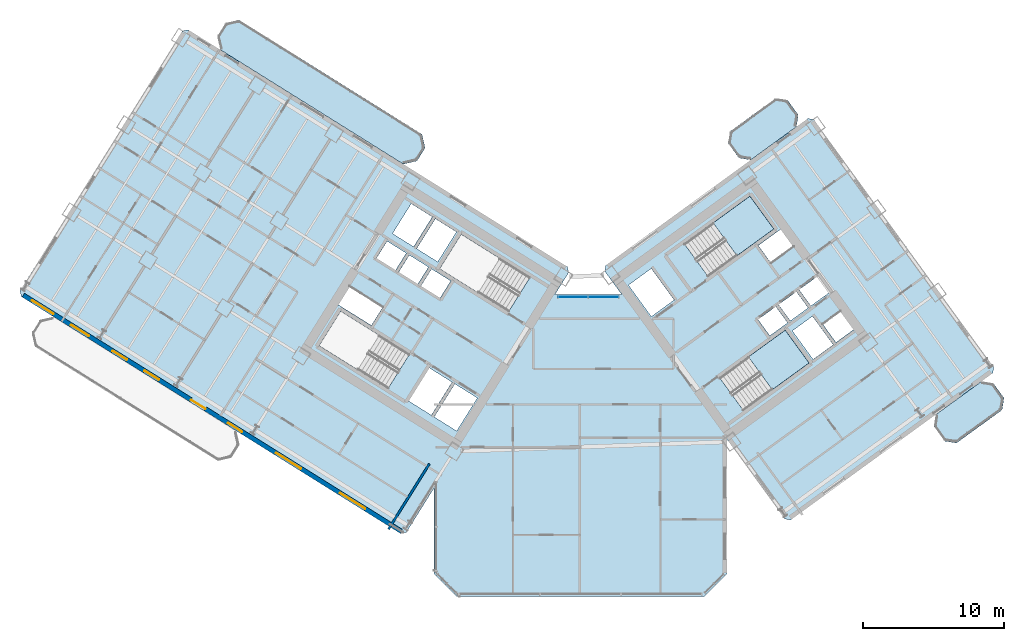
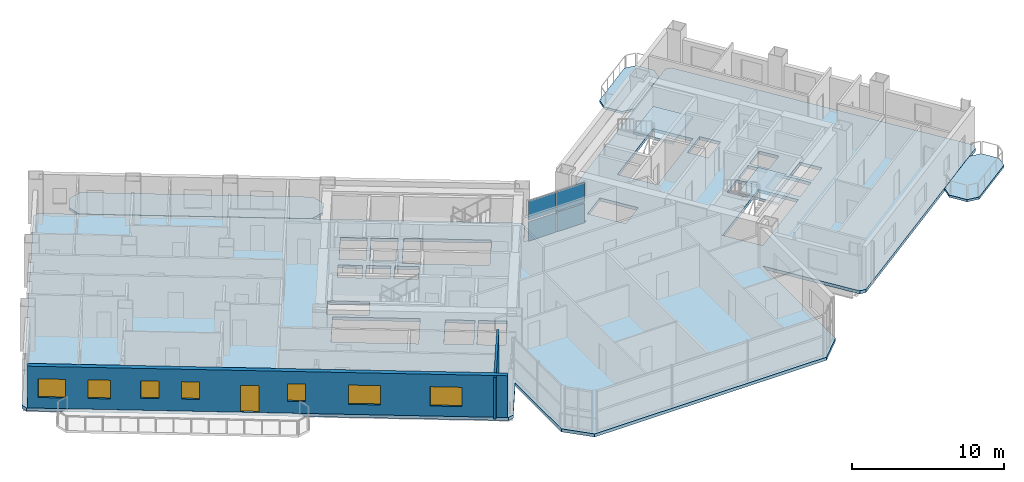
# One storey, part 14 of 24: 7 windows, 6 slabs, 4 plates, 2 walls, 1 door, 8 openings, 3 elements without a shape of their own.
"""IFC4 building model written with IfcOpenShell, lengths in metres."""

from ifc_helpers import new_model, si_unit, direction, frame, frame_2d, origin, origin_2d, place, context, subcontext, project, spatial, polyline, rectangle, outline, extrude, source, transform, mapped, material, layer, layer_set, type_object, element, fill, aggregate, save


model = new_model("IFC4")

# Units and contexts
model_context = context("Model", 3, precision=1e-05, world=origin(), true_north=direction((0.0, 1.0)))
body_context = subcontext(model_context, "Body", "Model", "MODEL_VIEW")
ifc_project = project(units=[si_unit("LENGTHUNIT", "METRE"), si_unit("AREAUNIT", "SQUARE_METRE"), si_unit("VOLUMEUNIT", "CUBIC_METRE"), si_unit("PLANEANGLEUNIT", "RADIAN"), si_unit("MASSUNIT", "GRAM", prefix="KILO")], contexts=[model_context])

# Site, building, storey
site_placement = place(None, origin())
site = spatial("IfcSite", under=ifc_project, at=site_placement, CompositionType="ELEMENT")
building_placement = place(site_placement, origin())
building = spatial("IfcBuilding", under=site, at=building_placement, Name="Tlacorven Tower", CompositionType="ELEMENT")
storey_placement = place(building_placement, frame((0.0, 0.0, 45.60009765625)))
storey = spatial("IfcBuildingStorey", under=building, at=storey_placement, Name="L11", CompositionType="ELEMENT", Elevation=45.60009765625)

# Slabs
ifc_material_1 = material(Name="Precast concrete C45/55", Category="concrete")
ifc_layer_1 = layer(ifc_material_1, 0.179931640625)
ifc_layer_set_1 = layer_set([ifc_layer_1], Name="Precast concrete C45/55")
slab_type_1 = type_object("IfcSlabType", Name="SL-BAL-180", PredefinedType="USERDEFINED", material=ifc_layer_set_1)
slab_1_placement = place(storey_placement, frame((0.0, 0.0, -0.18017578125)))
element("IfcSlab", 1, at=slab_1_placement, inside=storey, type_object=slab_type_1, Name="L11 West Wing Balcony Ribbon IN", ObjectType="BALCONY SLAB", PredefinedType="USERDEFINED", context=body_context, shape_type="SweptSolid", body=[
    extrude(outline(polyline([(30.756591796875, 34.57763671875), (17.781494140625, 42.685546875), (16.81689453125, 42.462890625), (16.236572265625, 41.5341796875), (16.459228515625, 40.569580078125), (29.434326171875, 32.4619140625), (30.39892578125, 32.6845703125), (30.979248046875, 33.613037109375), (30.756591796875, 34.57763671875)])), origin(), (0.0, 0.0, 1.0), 0.18017578125),
])
slab_2_placement = place(storey_placement, frame((0.0, 0.0, -0.18017578125)))
element("IfcSlab", 2, at=slab_2_placement, inside=storey, type_object=slab_type_1, Name="L11 East Wing Balcony Ribbon OUT", ObjectType="BALCONY SLAB", PredefinedType="USERDEFINED", context=body_context, shape_type="SweptSolid", body=[
    extrude(outline(polyline([(68.669921875, 12.678955078125), (71.906005859375, 15.0302734375), (72.03857421875, 15.8681640625), (71.27734375, 16.916015625), (70.439453125, 17.048583984375), (67.203369140625, 14.697509765625), (67.070556640625, 13.859375), (67.831787109375, 12.811767578125), (68.669921875, 12.678955078125)])), origin(), (0.0, 0.0, 1.0), 0.18017578125),
])
slab_3_placement = place(storey_placement, frame((0.0, 0.0, -0.18017578125)))
element("IfcSlab", 3, at=slab_3_placement, inside=storey, type_object=slab_type_1, Name="L11 East Wing Balcony Ribbon IN", ObjectType="BALCONY SLAB", PredefinedType="USERDEFINED", context=body_context, shape_type="SweptSolid", body=[
    extrude(outline(polyline([(54.078125, 32.762939453125), (57.314208984375, 35.114013671875), (57.44677734375, 35.9521484375), (56.685791015625, 36.999755859375), (55.84765625, 37.132568359375), (52.611572265625, 34.78125), (52.478759765625, 33.943359375), (53.239990234375, 32.8955078125), (54.078125, 32.762939453125)])), origin(), (0.0, 0.0, 1.0), 0.18017578125),
])

# Stair, slab
ifc_material_2 = material(Name="Concrete C40/50", Category="concrete")
stair_type = type_object("IfcStairType", Name="ST-CORE-DLG", PredefinedType="HALF_TURN_STAIR", material=ifc_material_2)
stair_1_placement = place(storey_placement, origin())
stair_1 = element("IfcStair", 4, at=stair_1_placement, inside=storey, type_object=stair_type, Name="L11 Protected Exit Stair East 1", PredefinedType="HALF_TURN_STAIR")
ifc_layer_2 = layer(ifc_material_2, 0.199951171875)
ifc_layer_set_2 = layer_set([ifc_layer_2], Name="Concrete C40/50")
slab_type_2 = type_object("IfcSlabType", Name="SL-LND-200", PredefinedType="LANDING", material=ifc_layer_set_2)
slab_4_placement = place(storey_placement, frame((0.0, 0.0, 1.599853515625)))
slab_4 = element("IfcSlab", 5, at=slab_4_placement, type_object=slab_type_2, Name="ST-E1 landing 1", PredefinedType="LANDING", context=body_context, shape_type="SweptSolid", body=[
    extrude(outline(polyline([(53.09765625, 25.962890625), (55.7109375, 27.861572265625), (54.01806640625, 30.19140625), (51.40478515625, 28.29296875), (53.09765625, 25.962890625)])), origin(), (0.0, 0.0, 1.0), 0.199951171875),
])
aggregate(stair_1, [slab_4])

stair_2_placement = place(storey_placement, origin())
stair_2 = element("IfcStair", 6, at=stair_2_placement, inside=storey, type_object=stair_type, Name="L11 Protected Exit Stair East 2", PredefinedType="HALF_TURN_STAIR")
slab_5_placement = place(storey_placement, frame((0.0, 0.0, 1.599853515625)))
slab_5 = element("IfcSlab", 7, at=slab_5_placement, type_object=slab_type_2, Name="ST-E2 landing 1", PredefinedType="LANDING", context=body_context, shape_type="SweptSolid", body=[
    extrude(outline(polyline([(55.601806640625, 16.4599609375), (58.21484375, 18.3583984375), (56.52197265625, 20.6884765625), (53.908935546875, 18.789794921875), (55.601806640625, 16.4599609375)])), origin(), (0.0, 0.0, 1.0), 0.199951171875),
])
aggregate(stair_2, [slab_5])

# Slab
ifc_layer_3 = layer(ifc_material_2, 0.25)
ifc_layer_set_3 = layer_set([ifc_layer_3], Name="Concrete C40/50")
slab_type_3 = type_object("IfcSlabType", Name="SL-TWR-250", PredefinedType="FLOOR", material=ifc_layer_set_3)
slab_6_placement = place(storey_placement, frame((0.0, 0.0, -0.25)))
element("IfcSlab", 8, at=slab_6_placement, inside=storey, type_object=slab_type_3, Name="L11 Boomerang Tower Floor Slab", PredefinedType="FLOOR", context=body_context, shape_type="SweptSolid", body=[
    extrude(outline(polyline([(52.39990234375, 3.39990234375), (50.800048828125, 1.800048828125), (33.199951171875, 1.800048828125), (31.60009765625, 3.39990234375), (31.60009765625, 9.470703125), (29.652587890625, 6.35400390625), (29.2392578125, 6.258544921875), (2.339111328125, 23.067626953125), (2.24365234375, 23.481201171875), (13.75341796875, 41.900634765625), (14.1669921875, 41.99609375), (41.06689453125, 25.18701171875), (41.162353515625, 24.773681640625), (40.178955078125, 23.199951171875), (44.932373046875, 23.199951171875), (43.723876953125, 24.86328125), (43.790283203125, 25.2822265625), (58.1259765625, 35.69775390625), (58.545166015625, 35.63134765625), (71.311767578125, 18.0595703125), (71.245361328125, 17.640380859375), (56.90966796875, 7.224853515625), (56.49072265625, 7.291259765625), (52.39990234375, 12.921630859375), (52.39990234375, 3.39990234375)]), holes=[polyline([(29.865478515625, 18.979736328125), (24.9892578125, 22.02685546875), (23.463134765625, 19.58447265625), (28.33935546875, 16.537353515625), (29.865478515625, 18.979736328125)]), polyline([(38.4169921875, 24.4375), (33.540771484375, 27.484375), (32.0146484375, 25.0419921875), (36.890869140625, 21.9951171875), (38.4169921875, 24.4375)]), polyline([(51.05908203125, 24.481689453125), (55.7109375, 27.861572265625), (54.01806640625, 30.19140625), (49.3662109375, 26.811767578125), (51.05908203125, 24.481689453125)]), polyline([(53.56298828125, 14.978759765625), (58.21484375, 18.3583984375), (56.52197265625, 20.6884765625), (51.8701171875, 17.30859375), (53.56298828125, 14.978759765625)]), polyline([(34.682373046875, 15.87548828125), (33.088134765625, 16.871826171875), (31.62548828125, 14.531005859375), (33.2197265625, 13.534912109375), (34.682373046875, 15.87548828125)]), polyline([(32.884521484375, 16.9990234375), (31.2392578125, 18.02685546875), (29.77685546875, 15.686279296875), (31.421875, 14.658203125), (32.884521484375, 16.9990234375)]), polyline([(47.0234375, 21.648681640625), (48.6416015625, 22.82421875), (47.019287109375, 25.05712890625), (45.401123046875, 23.881591796875), (47.0234375, 21.648681640625)]), polyline([(33.197265625, 27.65185546875), (31.704833984375, 28.58447265625), (30.3798828125, 26.46435546875), (31.87255859375, 25.53173828125), (33.197265625, 27.65185546875)]), polyline([(31.484375, 28.722412109375), (29.99169921875, 29.655029296875), (28.6669921875, 27.534912109375), (30.159423828125, 26.602294921875), (31.484375, 28.722412109375)]), polyline([(32.794921875, 24.17724609375), (31.43798828125, 25.025146484375), (30.685546875, 23.82080078125), (32.042236328125, 22.972900390625), (32.794921875, 24.17724609375)]), polyline([(31.217529296875, 25.162841796875), (29.860595703125, 26.0107421875), (29.108154296875, 24.806396484375), (30.465087890625, 23.958740234375), (31.217529296875, 25.162841796875)]), polyline([(29.64013671875, 26.1484375), (28.283203125, 26.996337890625), (27.53076171875, 25.792236328125), (28.8876953125, 24.9443359375), (29.64013671875, 26.1484375)]), polyline([(55.427734375, 20.288818359375), (56.68994140625, 21.205810546875), (55.855224609375, 22.354736328125), (54.59326171875, 21.437744140625), (55.427734375, 20.288818359375)]), polyline([(56.884033203125, 21.346923828125), (58.146240234375, 22.263916015625), (57.3115234375, 23.41259765625), (56.04931640625, 22.495849609375), (56.884033203125, 21.346923828125)]), polyline([(58.34033203125, 22.405029296875), (59.602294921875, 23.322021484375), (58.767578125, 24.470703125), (57.505615234375, 23.5537109375), (58.34033203125, 22.405029296875)]), polyline([(58.498779296875, 18.614013671875), (59.922607421875, 19.648681640625), (58.453125, 21.671142578125), (57.029296875, 20.63671875), (58.498779296875, 18.614013671875)]), polyline([(27.96142578125, 22.2919921875), (25.603759765625, 23.76513671875), (24.80908203125, 22.4931640625), (27.16650390625, 21.02001953125), (27.96142578125, 22.2919921875)]), polyline([(55.490478515625, 25.4765625), (57.092529296875, 26.640380859375), (56.210693359375, 27.85400390625), (54.60888671875, 26.690185546875), (55.490478515625, 25.4765625)]), polyline([(60.12109375, 19.817626953125), (61.38330078125, 20.734619140625), (60.45458984375, 22.012939453125), (59.192626953125, 21.095947265625), (60.12109375, 19.817626953125)])]), origin(), (0.0, 0.0, 1.0), 0.25),
])

# Curtain wall, plates
ifc_material_3 = material(Name="Dark solar low-E double glazing in aluminium frame", Category="aluminium")
curtain_wall_type = type_object("IfcCurtainWallType", Name="CW-TWR-LOW", PredefinedType="USERDEFINED", material=ifc_material_3)
curtain_wall_placement = place(storey_placement, origin())
curtain_wall = element("IfcCurtainWall", 9, at=curtain_wall_placement, inside=storey, type_object=curtain_wall_type, Name="L11 CW-TWR-LOW Curtain Wall 62", ObjectType="UNITISED CURTAIN WALL", PredefinedType="USERDEFINED")
ifc_material_4 = material(Name="Dark solar double low-E glazing", Category="glass")
ifc_layer_4 = layer(ifc_material_4, 0.031982421875)
ifc_layer_set_4 = layer_set([ifc_layer_4], Name="Dark solar double low-E glazing")
plate_type = type_object("IfcPlateType", Name="CWP-02", PredefinedType="CURTAIN_PANEL", material=ifc_layer_set_4)
shared_shape_1 = source(origin(), body_context, "Body", "SweptSolid", [
    extrude(rectangle(XDim=2.110595703125, YDim=0.031982421875, at=origin_2d()), origin(), (0.0, 0.0, 1.0), 1.552978515625),
])
plate_1_placement = place(storey_placement, frame((41.47802734375, 23.0400390625, 0.06103515625), z_axis=(0.0, 0.0, 1.0), x_axis=(1.0, 0.0, 0.0)))
plate_1 = element("IfcPlate", 10, at=plate_1_placement, type_object=plate_type, Name="CW-L11-062 Glazing Panel 1", PredefinedType="CURTAIN_PANEL", context=body_context, shape_type="MappedRepresentation", body=[
    mapped(shared_shape_1, transform((0.0, 0.0, 0.0), scale=1.0)),
])
plate_2_placement = place(storey_placement, frame((41.47802734375, 23.0400390625, 1.73583984375), z_axis=(0.0, 0.0, 1.0), x_axis=(1.0, 0.0, 0.0)))
plate_2 = element("IfcPlate", 11, at=plate_2_placement, type_object=plate_type, Name="CW-L11-062 Glazing Panel 2", PredefinedType="CURTAIN_PANEL", context=body_context, shape_type="MappedRepresentation", body=[
    mapped(shared_shape_1, transform((0.0, 0.0, 0.0), scale=1.0)),
])
plate_3_placement = place(storey_placement, frame((43.640625, 23.0400390625, 0.06103515625), z_axis=(0.0, 0.0, 1.0), x_axis=(1.0, 0.0, 0.0)))
plate_3 = element("IfcPlate", 12, at=plate_3_placement, type_object=plate_type, Name="CW-L11-062 Glazing Panel 3", PredefinedType="CURTAIN_PANEL", context=body_context, shape_type="MappedRepresentation", body=[
    mapped(shared_shape_1, transform((0.0, 0.0, 0.0), scale=1.0)),
])
plate_4_placement = place(storey_placement, frame((43.640625, 23.0400390625, 1.73583984375), z_axis=(0.0, 0.0, 1.0), x_axis=(1.0, 0.0, 0.0)))
plate_4 = element("IfcPlate", 13, at=plate_4_placement, type_object=plate_type, Name="CW-L11-062 Glazing Panel 4", PredefinedType="CURTAIN_PANEL", context=body_context, shape_type="MappedRepresentation", body=[
    mapped(shared_shape_1, transform((0.0, 0.0, 0.0), scale=1.0)),
])
aggregate(curtain_wall, [plate_1, plate_2, plate_3, plate_4])

# Wall
ifc_material_5 = material(Name="Gypsum plasterboard acoustic partition", Category="gypsum")
ifc_layer_5 = layer(ifc_material_5, 0.159912109375)
ifc_layer_set_5 = layer_set([ifc_layer_5], Name="Gypsum plasterboard acoustic partition")
wall_type_1 = type_object("IfcWallType", Name="WL-DEM-160", PredefinedType="PARTITIONING", material=ifc_layer_set_5)
wall_1_placement = place(storey_placement, frame((31.282470703125, 11.2080078125, 0.0), z_axis=(0.0, 0.0, 1.0), x_axis=(-0.529938869374, -0.84803584519, 0.0)))
element("IfcWall", 14, at=wall_1_placement, inside=storey, type_object=wall_type_1, Name="L11 WC West Throat Wall", PredefinedType="PARTITIONING", context=body_context, shape_type="SweptSolid", body=[
    extrude(rectangle(XDim=5.47998046875, YDim=0.159912109375, at=frame_2d((2.739990234375, 0.0))), origin(), (0.0, 0.0, 1.0), 3.33984375),
])

# Wall, openings, door, windows
ifc_layer_6 = layer(ifc_material_1, 0.320068359375)
ifc_layer_set_6 = layer_set([ifc_layer_6], Name="Precast concrete C45/55")
wall_type_2 = type_object("IfcWallType", Name="WL-EXT-320", PredefinedType="STANDARD", material=ifc_layer_set_6)
wall_2_placement = place(storey_placement, frame((29.267822265625, 6.429443359375, 0.0), z_axis=(0.0, 0.0, 1.0), x_axis=(-0.848049971435, 0.529916263149, 0.0)))
wall_2 = element("IfcWall", 15, at=wall_2_placement, inside=storey, type_object=wall_type_2, Name="L11 Masonry-Frame Recessed Facade Wall 1", PredefinedType="STANDARD", context=body_context, shape_type="SweptSolid", body=[
    extrude(rectangle(XDim=31.587646484375, YDim=0.320068359375, at=frame_2d((15.7939453125, 0.0))), origin(), (0.0, 0.0, 1.0), 3.349853515625),
])
opening_1_placement = place(wall_2_placement, frame((16.36181640625, 0.0, 0.0)))
opening_1 = element("IfcOpeningElement", 16, at=opening_1_placement, cuts=wall_2, Name="Opening D05", PredefinedType="OPENING", context=body_context, shape_type="SweptSolid", body=[
    extrude(rectangle(XDim=1.199951171875, YDim=2.14990234375, at=frame_2d((0.60009765625, 1.074951171875))), frame((0.0, 0.169921875, 0.0), z_axis=(0.0, -1.0, 0.0), x_axis=(1.0, 0.0, 0.0)), (0.0, 0.0, 1.0), 0.340087890625),
])
opening_2_placement = place(wall_2_placement, frame((2.98876953125, 0.0, 0.800048828125)))
opening_2 = element("IfcOpeningElement", 17, at=opening_2_placement, cuts=wall_2, Name="Opening WN04", PredefinedType="OPENING", context=body_context, shape_type="SweptSolid", body=[
    extrude(rectangle(XDim=2.10009765625, YDim=1.550048828125, at=frame_2d((1.050048828125, 0.77490234375))), frame((0.0, 0.169921875, 0.0), z_axis=(0.0, -1.0, 0.0), x_axis=(1.0, 0.0, 0.0)), (0.0, 0.0, 1.0), 0.340087890625),
])
opening_3_placement = place(wall_2_placement, frame((8.358642578125, 0.0, 0.800048828125)))
opening_3 = element("IfcOpeningElement", 18, at=opening_3_placement, cuts=wall_2, Name="Opening WN04", PredefinedType="OPENING", context=body_context, shape_type="SweptSolid", body=[
    extrude(rectangle(XDim=2.10009765625, YDim=1.550048828125, at=frame_2d((1.050048828125, 0.77490234375))), frame((0.0, 0.169921875, 0.0), z_axis=(0.0, -1.0, 0.0), x_axis=(1.0, 0.0, 0.0)), (0.0, 0.0, 1.0), 0.340087890625),
])
opening_4_placement = place(wall_2_placement, frame((13.28369140625, 0.0, 0.949951171875)))
opening_4 = element("IfcOpeningElement", 19, at=opening_4_placement, cuts=wall_2, Name="Opening WN03", PredefinedType="OPENING", context=body_context, shape_type="SweptSolid", body=[
    extrude(rectangle(XDim=1.199951171875, YDim=1.39990234375, at=frame_2d((0.60009765625, 0.699951171875))), frame((0.0, 0.169921875, 0.0), z_axis=(0.0, -1.0, 0.0), x_axis=(1.0, 0.0, 0.0)), (0.0, 0.0, 1.0), 0.340087890625),
])
opening_5_placement = place(wall_2_placement, frame((20.2587890625, 0.0, 0.949951171875)))
opening_5 = element("IfcOpeningElement", 20, at=opening_5_placement, cuts=wall_2, Name="Opening WN03", PredefinedType="OPENING", context=body_context, shape_type="SweptSolid", body=[
    extrude(rectangle(XDim=1.199951171875, YDim=1.39990234375, at=frame_2d((0.60009765625, 0.699951171875))), frame((0.0, 0.169921875, 0.0), z_axis=(0.0, -1.0, 0.0), x_axis=(1.0, 0.0, 0.0)), (0.0, 0.0, 1.0), 0.340087890625),
])
opening_6_placement = place(wall_2_placement, frame((22.9287109375, 0.0, 0.949951171875)))
opening_6 = element("IfcOpeningElement", 21, at=opening_6_placement, cuts=wall_2, Name="Opening WN03", PredefinedType="OPENING", context=body_context, shape_type="SweptSolid", body=[
    extrude(rectangle(XDim=1.199951171875, YDim=1.39990234375, at=frame_2d((0.60009765625, 0.699951171875))), frame((0.0, 0.169921875, 0.0), z_axis=(0.0, -1.0, 0.0), x_axis=(1.0, 0.0, 0.0)), (0.0, 0.0, 1.0), 0.340087890625),
])
opening_7_placement = place(wall_2_placement, frame((26.106201171875, 0.0, 0.85009765625)))
opening_7 = element("IfcOpeningElement", 22, at=opening_7_placement, cuts=wall_2, Name="Opening WN02", PredefinedType="OPENING", context=body_context, shape_type="SweptSolid", body=[
    extrude(rectangle(XDim=1.5, YDim=1.5, at=frame_2d((0.75, 0.75))), frame((0.0, 0.169921875, 0.0), z_axis=(0.0, -1.0, 0.0), x_axis=(1.0, 0.0, 0.0)), (0.0, 0.0, 1.0), 0.340087890625),
])
opening_8_placement = place(wall_2_placement, frame((29.068115234375, 0.0, 0.85009765625)))
opening_8 = element("IfcOpeningElement", 23, at=opening_8_placement, cuts=wall_2, Name="Opening WN01", PredefinedType="OPENING", context=body_context, shape_type="SweptSolid", body=[
    extrude(rectangle(XDim=1.800048828125, YDim=1.5, at=frame_2d((0.89990234375, 0.75))), frame((0.0, 0.169921875, 0.0), z_axis=(0.0, -1.0, 0.0), x_axis=(1.0, 0.0, 0.0)), (0.0, 0.0, 1.0), 0.340087890625),
])
ifc_material_6 = material(Name="Powder-coated aluminium and timber door", Category="wood")
door_type = type_object("IfcDoorType", Name="DR-EXT-BALC-1200", OperationType="NOTDEFINED", PredefinedType="DOOR", material=ifc_material_6)
shared_shape_2 = source(origin(), body_context, "Body", "SweptSolid", [
    extrude(rectangle(XDim=1.199951171875, YDim=2.14990234375, at=frame_2d((0.60009765625, 1.074951171875))), frame((0.0, 0.02490234375, 0.0), z_axis=(0.0, -1.0, 0.0), x_axis=(1.0, 0.0, 0.0)), (0.0, 0.0, 1.0), 0.050048828125),
])
door_placement = place(opening_1_placement, origin())
door = element("IfcDoor", 24, at=door_placement, inside=storey, type_object=door_type, Name="L11 Outdoor Access Door BAL-L11-W-OUT", OperationType="SINGLE_SWING_LEFT", OverallHeight=2.14990234375, OverallWidth=1.199951171875, PredefinedType="DOOR", context=body_context, shape_type="MappedRepresentation", body=[
    mapped(shared_shape_2, transform((0.0, 0.0, 0.0), scale=1.0)),
])
fill(opening_1, door)
ifc_material_7 = material(Name="Dark solar low-E double glazing in anodised aluminium frame", Category="aluminium")
window_type_1 = type_object("IfcWindowType", Name="WN-APT-2100X1750", PartitioningType="SINGLE_PANEL", PredefinedType="WINDOW", material=ifc_material_7)
shared_shape_3 = source(origin(), body_context, "Body", "SweptSolid", [
    extrude(rectangle(XDim=2.10009765625, YDim=1.550048828125, at=frame_2d((1.050048828125, 0.77490234375))), frame((0.0, 0.030029296875, 0.0), z_axis=(0.0, -1.0, 0.0), x_axis=(1.0, 0.0, 0.0)), (0.0, 0.0, 1.0), 0.06005859375),
])
window_1_placement = place(opening_2_placement, origin())
window_1 = element("IfcWindow", 25, at=window_1_placement, inside=storey, type_object=window_type_1, Name="L11 Recessed Masonry-Frame Window L11-01.1", OverallHeight=1.550048828125, OverallWidth=2.10009765625, PartitioningType="SINGLE_PANEL", PredefinedType="WINDOW", context=body_context, shape_type="MappedRepresentation", body=[
    mapped(shared_shape_3, transform((0.0, 0.0, 0.0), scale=1.0)),
])
fill(opening_2, window_1)
window_2_placement = place(opening_3_placement, origin())
window_2 = element("IfcWindow", 26, at=window_2_placement, inside=storey, type_object=window_type_1, Name="L11 Recessed Masonry-Frame Window L11-01.2", OverallHeight=1.550048828125, OverallWidth=2.10009765625, PartitioningType="SINGLE_PANEL", PredefinedType="WINDOW", context=body_context, shape_type="MappedRepresentation", body=[
    mapped(shared_shape_3, transform((0.0, 0.0, 0.0), scale=1.0)),
])
fill(opening_3, window_2)
window_type_2 = type_object("IfcWindowType", Name="WN-APT-1200X1500", PartitioningType="SINGLE_PANEL", PredefinedType="WINDOW", material=ifc_material_7)
shared_shape_4 = source(origin(), body_context, "Body", "SweptSolid", [
    extrude(rectangle(XDim=1.199951171875, YDim=1.39990234375, at=frame_2d((0.60009765625, 0.699951171875))), frame((0.0, 0.030029296875, 0.0), z_axis=(0.0, -1.0, 0.0), x_axis=(1.0, 0.0, 0.0)), (0.0, 0.0, 1.0), 0.06005859375),
])
window_3_placement = place(opening_4_placement, origin())
window_3 = element("IfcWindow", 27, at=window_3_placement, inside=storey, type_object=window_type_2, Name="L11 Recessed Masonry-Frame Window L11-01.3", OverallHeight=1.39990234375, OverallWidth=1.199951171875, PartitioningType="SINGLE_PANEL", PredefinedType="WINDOW", context=body_context, shape_type="MappedRepresentation", body=[
    mapped(shared_shape_4, transform((0.0, 0.0, 0.0), scale=1.0)),
])
fill(opening_4, window_3)
window_4_placement = place(opening_5_placement, origin())
window_4 = element("IfcWindow", 28, at=window_4_placement, inside=storey, type_object=window_type_2, Name="L11 Recessed Masonry-Frame Window L11-01.4", OverallHeight=1.39990234375, OverallWidth=1.199951171875, PartitioningType="SINGLE_PANEL", PredefinedType="WINDOW", context=body_context, shape_type="MappedRepresentation", body=[
    mapped(shared_shape_4, transform((0.0, 0.0, 0.0), scale=1.0)),
])
fill(opening_5, window_4)
window_5_placement = place(opening_6_placement, origin())
window_5 = element("IfcWindow", 29, at=window_5_placement, inside=storey, type_object=window_type_2, Name="L11 Recessed Masonry-Frame Window L11-01.5", OverallHeight=1.39990234375, OverallWidth=1.199951171875, PartitioningType="SINGLE_PANEL", PredefinedType="WINDOW", context=body_context, shape_type="MappedRepresentation", body=[
    mapped(shared_shape_4, transform((0.0, 0.0, 0.0), scale=1.0)),
])
fill(opening_6, window_5)
window_type_3 = type_object("IfcWindowType", Name="WN-APT-1800X1650", PartitioningType="SINGLE_PANEL", PredefinedType="WINDOW", material=ifc_material_7)
shared_shape_5 = source(origin(), body_context, "Body", "SweptSolid", [
    extrude(rectangle(XDim=1.800048828125, YDim=1.5, at=frame_2d((0.89990234375, 0.75))), frame((0.0, 0.030029296875, 0.0), z_axis=(0.0, -1.0, 0.0), x_axis=(1.0, 0.0, 0.0)), (0.0, 0.0, 1.0), 0.06005859375),
])
window_6_placement = place(opening_8_placement, origin())
window_6 = element("IfcWindow", 30, at=window_6_placement, inside=storey, type_object=window_type_3, Name="L11 Recessed Masonry-Frame Window L11-01.7", OverallHeight=1.5, OverallWidth=1.800048828125, PartitioningType="SINGLE_PANEL", PredefinedType="WINDOW", context=body_context, shape_type="MappedRepresentation", body=[
    mapped(shared_shape_5, transform((0.0, 0.0, 0.0), scale=1.0)),
])
fill(opening_8, window_6)
window_type_4 = type_object("IfcWindowType", Name="WN-APT-1500X1650", PartitioningType="SINGLE_PANEL", PredefinedType="WINDOW", material=ifc_material_7)
shared_shape_6 = source(origin(), body_context, "Body", "SweptSolid", [
    extrude(rectangle(XDim=1.5, YDim=1.5, at=frame_2d((0.75, 0.75))), frame((0.0, 0.030029296875, 0.0), z_axis=(0.0, -1.0, 0.0), x_axis=(1.0, 0.0, 0.0)), (0.0, 0.0, 1.0), 0.06005859375),
])
window_7_placement = place(opening_7_placement, origin())
window_7 = element("IfcWindow", 31, at=window_7_placement, inside=storey, type_object=window_type_4, Name="L11 Recessed Masonry-Frame Window L11-01.6", OverallHeight=1.5, OverallWidth=1.5, PartitioningType="SINGLE_PANEL", PredefinedType="WINDOW", context=body_context, shape_type="MappedRepresentation", body=[
    mapped(shared_shape_6, transform((0.0, 0.0, 0.0), scale=1.0)),
])
fill(opening_7, window_7)

save(model, "model.ifc")
